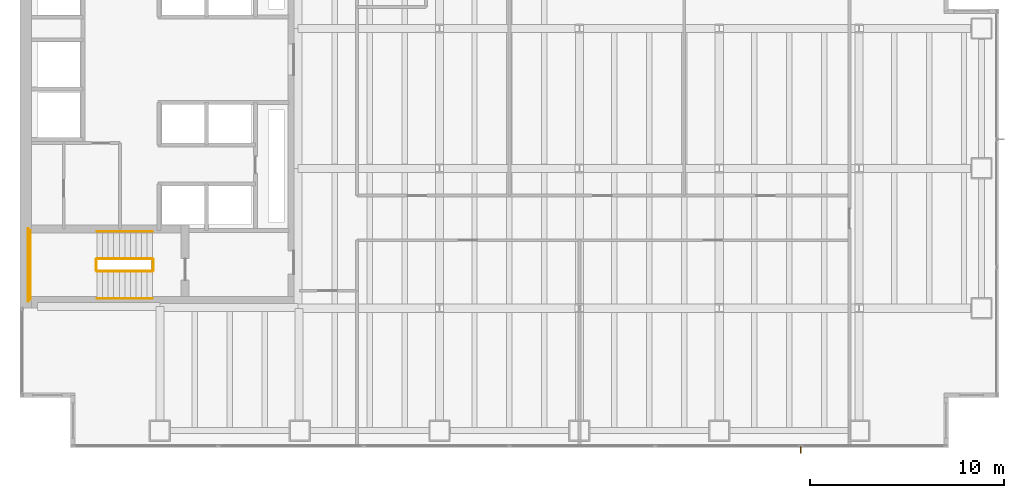
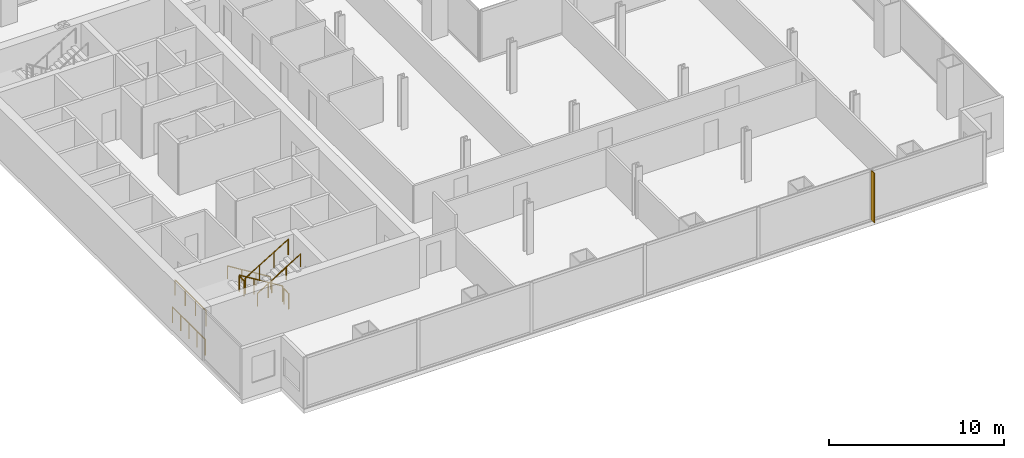
# One storey, part 23 of 25: 8 railings, 1 shading device.
"""IFC4 building model written with IfcOpenShell, lengths in metres."""

from ifc_helpers import new_model, si_unit, direction, frame, origin, origin_2d, place, context, subcontext, project, spatial, polyline, circle, outline, extrude, material, layer, layer_set, type_object, element, save


model = new_model("IFC4")

# Units and contexts
model_context = context("Model", 3, precision=1e-05, world=origin(), true_north=direction((0.0, 1.0)))
body_context = subcontext(model_context, "Body", "Model", "MODEL_VIEW")
ifc_project = project(units=[si_unit("LENGTHUNIT", "METRE"), si_unit("AREAUNIT", "SQUARE_METRE"), si_unit("VOLUMEUNIT", "CUBIC_METRE"), si_unit("PLANEANGLEUNIT", "RADIAN"), si_unit("MASSUNIT", "GRAM", prefix="KILO")], contexts=[model_context])

# Site, building, storey
site_placement = place(None, origin())
site = spatial("IfcSite", under=ifc_project, at=site_placement, CompositionType="ELEMENT")
building_placement = place(site_placement, origin())
building = spatial("IfcBuilding", under=site, at=building_placement, Name="Cobrela Telecom Tower", CompositionType="ELEMENT")
storey_placement = place(building_placement, frame((0.0, 0.0, 35.0)))
storey = spatial("IfcBuildingStorey", under=building, at=storey_placement, Name="L08", CompositionType="ELEMENT", Elevation=35.0)

# Railings
ifc_material_1 = material(Name="Steel ASTM A36", Category="steel")
railing_type_1 = type_object("IfcRailingType", Name="RAIL-GUARD-1100", PredefinedType="GUARDRAIL", material=ifc_material_1)
railing_1_placement = place(storey_placement, frame((6.820068359375, 9.75, 0.175048828125)))
element("IfcRailing", 1, at=railing_1_placement, inside=storey, type_object=railing_type_1, Name="L08 ST2 stair guard 1", PredefinedType="GUARDRAIL", context=body_context, shape_type="SweptSolid", body=[
    extrude(circle(Radius=0.02392578125, at=origin_2d()), frame((0.0, 0.0, 1.076171875), z_axis=(-0.852179220489, 0.0, 0.52325001306), x_axis=(0.0, -1.0, 0.0)), (0.0, 0.0, 1.0), 3.344482421875),
    extrude(circle(Radius=0.02099609375, at=origin_2d()), origin(), (0.0, 0.0, 1.0), 1.052001953125),
    extrude(circle(Radius=0.02099609375, at=origin_2d()), frame((-0.949951171875, 0.0, 0.583251953125)), (0.0, 0.0, 1.0), 1.052001953125),
    extrude(circle(Radius=0.02099609375, at=origin_2d()), frame((-1.900146484375, 0.0, 1.166748046875)), (0.0, 0.0, 1.0), 1.052001953125),
    extrude(circle(Radius=0.02099609375, at=origin_2d()), frame((-2.85009765625, 0.0, 1.75)), (0.0, 0.0, 1.0), 1.052001953125),
])
railing_2_placement = place(storey_placement, frame((3.919921875, 9.699951171875, 1.925048828125)))
element("IfcRailing", 2, at=railing_2_placement, inside=storey, type_object=railing_type_1, Name="L08 ST2 stair guard 2", PredefinedType="GUARDRAIL", context=body_context, shape_type="SweptSolid", body=[
    extrude(circle(Radius=0.02392578125, at=origin_2d()), frame((0.0, 0.0, 1.076171875), z_axis=(0.0, -1.0, 0.0), x_axis=(1.0, 0.0, 0.0)), (0.0, 0.0, 1.0), 0.550048828125),
    extrude(circle(Radius=0.02099609375, at=origin_2d()), origin(), (0.0, 0.0, 1.0), 1.052001953125),
    extrude(circle(Radius=0.02099609375, at=origin_2d()), frame((0.0, -0.550048828125, 0.0)), (0.0, 0.0, 1.0), 1.052001953125),
])
railing_3_placement = place(storey_placement, frame((0.530029296875, 11.199951171875, 1.925048828125)))
element("IfcRailing", 3, at=railing_3_placement, inside=storey, type_object=railing_type_1, Name="L08 ST2 stair guard 3", PredefinedType="GUARDRAIL", context=body_context, shape_type="SweptSolid", body=[
    extrude(circle(Radius=0.02392578125, at=origin_2d()), frame((0.0, 0.0, 1.076171875), z_axis=(0.0, -1.0, 0.0), x_axis=(1.0, 0.0, 0.0)), (0.0, 0.0, 1.0), 3.550048828125),
    extrude(circle(Radius=0.02099609375, at=origin_2d()), origin(), (0.0, 0.0, 1.0), 1.052001953125),
    extrude(circle(Radius=0.02099609375, at=origin_2d()), frame((0.0, -1.183349609375, 0.0)), (0.0, 0.0, 1.0), 1.052001953125),
    extrude(circle(Radius=0.02099609375, at=origin_2d()), frame((0.0, -2.36669921875, 0.0)), (0.0, 0.0, 1.0), 1.052001953125),
    extrude(circle(Radius=0.02099609375, at=origin_2d()), frame((0.0, -3.550048828125, 0.0)), (0.0, 0.0, 1.0), 1.052001953125),
])
railing_4_placement = place(storey_placement, frame((3.969970703125, 9.10009765625, 2.10009765625)))
element("IfcRailing", 4, at=railing_4_placement, inside=storey, type_object=railing_type_1, Name="L08 ST2 stair guard 4", PredefinedType="GUARDRAIL", context=body_context, shape_type="SweptSolid", body=[
    extrude(circle(Radius=0.02392578125, at=origin_2d()), frame((0.0, 0.0, 1.076171875), z_axis=(0.852179220489, 0.0, 0.52325001306), x_axis=(0.0, 1.0, 0.0)), (0.0, 0.0, 1.0), 3.344482421875),
    extrude(circle(Radius=0.02099609375, at=origin_2d()), origin(), (0.0, 0.0, 1.0), 1.052001953125),
    extrude(circle(Radius=0.02099609375, at=origin_2d()), frame((0.949951171875, 0.0, 0.583251953125)), (0.0, 0.0, 1.0), 1.052001953125),
    extrude(circle(Radius=0.02099609375, at=origin_2d()), frame((1.900146484375, 0.0, 1.166748046875)), (0.0, 0.0, 1.0), 1.052001953125),
    extrude(circle(Radius=0.02099609375, at=origin_2d()), frame((2.85009765625, 0.0, 1.75)), (0.0, 0.0, 1.0), 1.052001953125),
])
railing_5_placement = place(storey_placement, frame((6.8701171875, 9.699951171875, 0.0)))
element("IfcRailing", 5, at=railing_5_placement, inside=storey, type_object=railing_type_1, Name="L08 ST2 stair guard 5", PredefinedType="GUARDRAIL", context=body_context, shape_type="SweptSolid", body=[
    extrude(circle(Radius=0.02392578125, at=origin_2d()), frame((0.0, 0.0, 1.076171875), z_axis=(0.0, -1.0, 0.0), x_axis=(1.0, 0.0, 0.0)), (0.0, 0.0, 1.0), 0.550048828125),
    extrude(circle(Radius=0.02099609375, at=origin_2d()), origin(), (0.0, 0.0, 1.0), 1.052001953125),
    extrude(circle(Radius=0.02099609375, at=origin_2d()), frame((0.0, -0.550048828125, 0.0)), (0.0, 0.0, 1.0), 1.052001953125),
])
railing_6_placement = place(storey_placement, frame((0.429931640625, 11.300048828125, 0.0)))
element("IfcRailing", 6, at=railing_6_placement, inside=storey, type_object=railing_type_1, Name="L08 ST2 stair guard 6", PredefinedType="GUARDRAIL", context=body_context, shape_type="SweptSolid", body=[
    extrude(circle(Radius=0.02392578125, at=origin_2d()), frame((0.0, 0.0, 1.076171875), z_axis=(0.0, -1.0, 0.0), x_axis=(1.0, 0.0, 0.0)), (0.0, 0.0, 1.0), 3.75),
    extrude(circle(Radius=0.02099609375, at=origin_2d()), origin(), (0.0, 0.0, 1.0), 1.052001953125),
    extrude(circle(Radius=0.02099609375, at=origin_2d()), frame((0.0, -0.9375, 0.0)), (0.0, 0.0, 1.0), 1.052001953125),
    extrude(circle(Radius=0.02099609375, at=origin_2d()), frame((0.0, -1.875, 0.0)), (0.0, 0.0, 1.0), 1.052001953125),
    extrude(circle(Radius=0.02099609375, at=origin_2d()), frame((0.0, -2.8125, 0.0)), (0.0, 0.0, 1.0), 1.052001953125),
    extrude(circle(Radius=0.02099609375, at=origin_2d()), frame((0.0, -3.75, 0.0)), (0.0, 0.0, 1.0), 1.052001953125),
])
railing_type_2 = type_object("IfcRailingType", Name="RAIL-HAND-920", PredefinedType="HANDRAIL", material=ifc_material_1)
railing_7_placement = place(storey_placement, frame((6.820068359375, 11.14990234375, 0.175048828125)))
element("IfcRailing", 7, at=railing_7_placement, inside=storey, type_object=railing_type_2, Name="L08 ST2 stair handrail 1", PredefinedType="HANDRAIL", context=body_context, shape_type="SweptSolid", body=[
    extrude(circle(Radius=0.02392578125, at=origin_2d()), frame((0.0, 0.0, 0.8759765625), z_axis=(-0.852179220489, 0.0, 0.52325001306), x_axis=(0.0, -1.0, 0.0)), (0.0, 0.0, 1.0), 3.344482421875),
    extrude(circle(Radius=0.02099609375, at=origin_2d()), origin(), (0.0, 0.0, 1.0), 0.851806640625),
    extrude(circle(Radius=0.02099609375, at=origin_2d()), frame((-0.949951171875, 0.0, 0.583251953125)), (0.0, 0.0, 1.0), 0.851806640625),
    extrude(circle(Radius=0.02099609375, at=origin_2d()), frame((-1.900146484375, 0.0, 1.166748046875)), (0.0, 0.0, 1.0), 0.851806640625),
    extrude(circle(Radius=0.02099609375, at=origin_2d()), frame((-2.85009765625, 0.0, 1.75)), (0.0, 0.0, 1.0), 0.851806640625),
])
railing_8_placement = place(storey_placement, frame((3.969970703125, 7.699951171875, 2.10009765625)))
element("IfcRailing", 8, at=railing_8_placement, inside=storey, type_object=railing_type_2, Name="L08 ST2 stair handrail 2", PredefinedType="HANDRAIL", context=body_context, shape_type="SweptSolid", body=[
    extrude(circle(Radius=0.02392578125, at=origin_2d()), frame((0.0, 0.0, 0.8759765625), z_axis=(0.852179220489, 0.0, 0.52325001306), x_axis=(0.0, 1.0, 0.0)), (0.0, 0.0, 1.0), 3.344482421875),
    extrude(circle(Radius=0.02099609375, at=origin_2d()), origin(), (0.0, 0.0, 1.0), 0.851806640625),
    extrude(circle(Radius=0.02099609375, at=origin_2d()), frame((0.949951171875, 0.0, 0.583251953125)), (0.0, 0.0, 1.0), 0.851806640625),
    extrude(circle(Radius=0.02099609375, at=origin_2d()), frame((1.900146484375, 0.0, 1.166748046875)), (0.0, 0.0, 1.0), 0.851806640625),
    extrude(circle(Radius=0.02099609375, at=origin_2d()), frame((2.85009765625, 0.0, 1.75)), (0.0, 0.0, 1.0), 0.851806640625),
])

# Shading device
ifc_material_2 = material(Name="Anodized Bronze Aluminium 6063-T6", Category="aluminium")
ifc_layer = layer(ifc_material_2, 0.06005859375)
ifc_layer_set = layer_set([ifc_layer], Name="Anodized Bronze Aluminium 6063-T6")
shading_device_type = type_object("IfcShadingDeviceType", Name="SHD-FIN-BRZ", PredefinedType="USERDEFINED", material=ifc_layer_set)
shading_device_placement = place(storey_placement, frame((0.0, 0.0, 0.050048828125)))
element("IfcShadingDevice", 9, at=shading_device_placement, inside=storey, type_object=shading_device_type, Name="L08 Anodized Bronze Solar Fin 15", ObjectType="SUNSHADE", PredefinedType="USERDEFINED", context=body_context, shape_type="SweptSolid", body=[
    extrude(outline(polyline([(40.223388671875, 0.080078125), (40.163330078125, 0.080078125), (40.163330078125, -0.260009765625), (40.223388671875, -0.260009765625), (40.223388671875, 0.080078125)])), origin(), (0.0, 0.0, 1.0), 3.469970703125),
])

save(model, "model.ifc")
